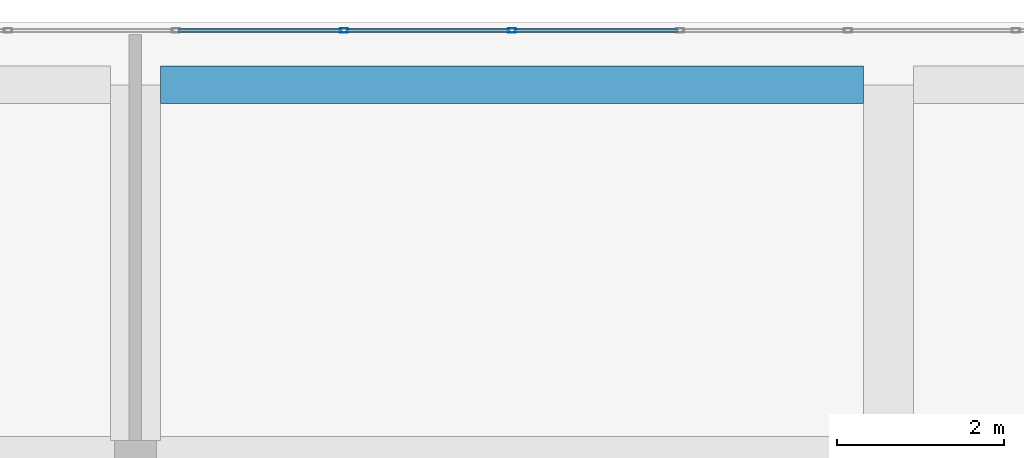
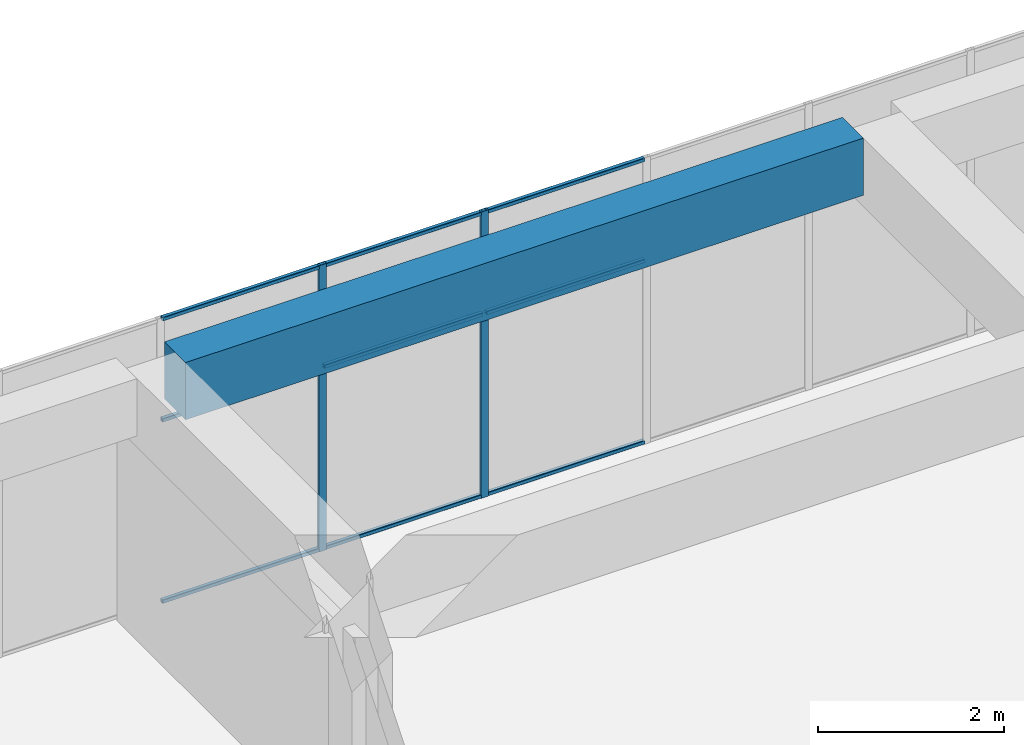
# One storey, part 23 of 34: 11 members, 1 beam, 1 element without a shape of its own.
"""IFC4 building model written with IfcOpenShell, lengths in metres."""

from ifc_helpers import new_model, si_unit, direction, frame, origin, origin_2d, place, context, subcontext, project, spatial, rectangle, hollow_rectangle, extrude, material, layer, layer_set, material_profile, profile_set, type_object, element, aggregate, save


model = new_model("IFC4")

# Units and contexts
model_context = context("Model", 3, precision=1e-05, world=origin(), true_north=direction((0.0, 1.0)))
body_context = subcontext(model_context, "Body", "Model", "MODEL_VIEW")
ifc_project = project(units=[si_unit("LENGTHUNIT", "METRE"), si_unit("AREAUNIT", "SQUARE_METRE"), si_unit("VOLUMEUNIT", "CUBIC_METRE"), si_unit("PLANEANGLEUNIT", "RADIAN"), si_unit("MASSUNIT", "GRAM", prefix="KILO")], contexts=[model_context])

# Site, building, storey
site_placement = place(None, origin())
site = spatial("IfcSite", under=ifc_project, at=site_placement, CompositionType="ELEMENT")
building_placement = place(site_placement, origin())
building = spatial("IfcBuilding", under=site, at=building_placement, Name="Tuart Plaza Theatre", CompositionType="ELEMENT")
storey_placement = place(building_placement, frame((0.0, 0.0, 57.5)))
storey = spatial("IfcBuildingStorey", under=building, at=storey_placement, Name="L14", CompositionType="ELEMENT", Elevation=57.5)

# Beam
ifc_material_1 = material(Name="Concrete N40 (40 MPa)", Category="concrete")
ifc_material_profile_1 = material_profile(ifc_material_1, rectangle(XDim=0.449951171875, YDim=0.75, at=origin_2d()), Name="BEAM 450x750 Concrete N40 (40 MPa)")
ifc_profile_set_1 = profile_set([ifc_material_profile_1], Name="Concrete N40 (40 MPa)")
beam_type = type_object("IfcBeamType", Name="BEAM 450x750 Concrete N40 (40 MPa)", PredefinedType="BEAM", material=ifc_profile_set_1)
beam_placement = place(storey_placement, frame((123.300048828125, 96.5, 3.375), z_axis=(1.0, 0.0, 0.0), x_axis=(0.0, 1.0, 0.0)))
element("IfcBeam", 1, at=beam_placement, inside=storey, type_object=beam_type, Name="RB332", PredefinedType="BEAM", context=body_context, shape_type="SweptSolid", body=[
    extrude(rectangle(XDim=0.449951171875, YDim=0.75, at=origin_2d()), origin(), (0.0, 0.0, 1.0), 8.39990234375),
])

# Curtain wall, members
ifc_material_2 = material(Name="Aluminium and glass", Category="aluminium")
ifc_layer = layer(ifc_material_2, 0.10009765625)
ifc_layer_set = layer_set([ifc_layer], Name="CURTAIN WALL 2000 module")
curtain_wall_type = type_object("IfcCurtainWallType", Name="CURTAIN WALL 2000 module", PredefinedType="NOTDEFINED", material=ifc_layer_set)
curtain_wall_placement = place(storey_placement, origin())
curtain_wall = element("IfcCurtainWall", 2, at=curtain_wall_placement, inside=storey, type_object=curtain_wall_type, Name="CW117", PredefinedType="NOTDEFINED")
ifc_material_3 = material(Name="Aluminium 6063-T5", Category="aluminium")
ifc_material_profile_2 = material_profile(ifc_material_3, hollow_rectangle(XDim=0.050048828125, YDim=0.10009765625, WallThickness=0.00390625, InnerFilletRadius=0.00390625, OuterFilletRadius=0.008056640625, at=origin_2d()), Name="RHS 100x50x4")
ifc_profile_set_2 = profile_set([ifc_material_profile_2], Name="Aluminium 6063-T5")
member_type_1 = type_object("IfcMemberType", Name="MULLION RHS 100x50x4", PredefinedType="MULLION", material=ifc_profile_set_2)
member_1_placement = place(storey_placement, frame((127.5, 97.14990234375, 0.0), z_axis=(0.0, 0.0, 1.0), x_axis=(0.0, -1.0, 0.0)))
member_1 = element("IfcMember", 3, at=member_1_placement, type_object=member_type_1, Name="CW117 mullion 8", PredefinedType="MULLION", context=body_context, shape_type="SweptSolid", body=[
    extrude(hollow_rectangle(XDim=0.050048828125, YDim=0.10009765625, WallThickness=0.00390625, InnerFilletRadius=0.00390625, OuterFilletRadius=0.008056640625, at=origin_2d()), origin(), (0.0, 0.0, 1.0), 3.75),
])
member_2_placement = place(storey_placement, frame((125.492919921875, 97.14990234375, 0.0), z_axis=(0.0, 0.0, 1.0), x_axis=(0.0, -1.0, 0.0)))
member_2 = element("IfcMember", 4, at=member_2_placement, type_object=member_type_1, Name="CW117 mullion 9", PredefinedType="MULLION", context=body_context, shape_type="SweptSolid", body=[
    extrude(hollow_rectangle(XDim=0.050048828125, YDim=0.10009765625, WallThickness=0.00390625, InnerFilletRadius=0.00390625, OuterFilletRadius=0.008056640625, at=origin_2d()), origin(), (0.0, 0.0, 1.0), 3.75),
])
ifc_material_4 = material(Name="Aluminium 6063-T5", Category="aluminium")
ifc_material_profile_3 = material_profile(ifc_material_4, hollow_rectangle(XDim=0.050048828125, YDim=0.050048828125, WallThickness=0.00390625, InnerFilletRadius=0.00390625, OuterFilletRadius=0.008056640625, at=origin_2d()), Name="RHS 50x50x4")
ifc_profile_set_3 = profile_set([ifc_material_profile_3], Name="Aluminium 6063-T5")
member_type_2 = type_object("IfcMemberType", Name="TRANSOM RHS 50x50x4", PredefinedType="USERDEFINED", material=ifc_profile_set_3)
member_3_placement = place(storey_placement, frame((129.482177734375, 97.14990234375, 0.02490234375), z_axis=(-1.0, 0.0, 0.0), x_axis=(0.0, -1.0, 0.0)))
member_3 = element("IfcMember", 5, at=member_3_placement, type_object=member_type_2, Name="CW117 transom 7.1", ObjectType="TRANSOM", PredefinedType="USERDEFINED", context=body_context, shape_type="SweptSolid", body=[
    extrude(hollow_rectangle(XDim=0.050048828125, YDim=0.050048828125, WallThickness=0.00390625, InnerFilletRadius=0.00390625, OuterFilletRadius=0.008056640625, at=origin_2d()), origin(), (0.0, 0.0, 1.0), 1.957275390625),
])
member_4_placement = place(storey_placement, frame((129.482177734375, 97.14990234375, 2.39990234375), z_axis=(-1.0, 0.0, 0.0), x_axis=(0.0, -1.0, 0.0)))
member_4 = element("IfcMember", 6, at=member_4_placement, type_object=member_type_2, Name="CW117 transom 7.2", ObjectType="TRANSOM", PredefinedType="USERDEFINED", context=body_context, shape_type="SweptSolid", body=[
    extrude(hollow_rectangle(XDim=0.050048828125, YDim=0.050048828125, WallThickness=0.00390625, InnerFilletRadius=0.00390625, OuterFilletRadius=0.008056640625, at=origin_2d()), origin(), (0.0, 0.0, 1.0), 1.957275390625),
])
member_5_placement = place(storey_placement, frame((129.482177734375, 97.14990234375, 3.72509765625), z_axis=(-1.0, 0.0, 0.0), x_axis=(0.0, -1.0, 0.0)))
member_5 = element("IfcMember", 7, at=member_5_placement, type_object=member_type_2, Name="CW117 transom 7.3", ObjectType="TRANSOM", PredefinedType="USERDEFINED", context=body_context, shape_type="SweptSolid", body=[
    extrude(hollow_rectangle(XDim=0.050048828125, YDim=0.050048828125, WallThickness=0.00390625, InnerFilletRadius=0.00390625, OuterFilletRadius=0.008056640625, at=origin_2d()), origin(), (0.0, 0.0, 1.0), 1.957275390625),
])
member_6_placement = place(storey_placement, frame((127.47509765625, 97.14990234375, 0.02490234375), z_axis=(-1.0, 0.0, 0.0), x_axis=(0.0, -1.0, 0.0)))
member_6 = element("IfcMember", 8, at=member_6_placement, type_object=member_type_2, Name="CW117 transom 8.1", ObjectType="TRANSOM", PredefinedType="USERDEFINED", context=body_context, shape_type="SweptSolid", body=[
    extrude(hollow_rectangle(XDim=0.050048828125, YDim=0.050048828125, WallThickness=0.00390625, InnerFilletRadius=0.00390625, OuterFilletRadius=0.008056640625, at=origin_2d()), origin(), (0.0, 0.0, 1.0), 1.957275390625),
])
member_7_placement = place(storey_placement, frame((127.47509765625, 97.14990234375, 2.39990234375), z_axis=(-1.0, 0.0, 0.0), x_axis=(0.0, -1.0, 0.0)))
member_7 = element("IfcMember", 9, at=member_7_placement, type_object=member_type_2, Name="CW117 transom 8.2", ObjectType="TRANSOM", PredefinedType="USERDEFINED", context=body_context, shape_type="SweptSolid", body=[
    extrude(hollow_rectangle(XDim=0.050048828125, YDim=0.050048828125, WallThickness=0.00390625, InnerFilletRadius=0.00390625, OuterFilletRadius=0.008056640625, at=origin_2d()), origin(), (0.0, 0.0, 1.0), 1.957275390625),
])
member_8_placement = place(storey_placement, frame((127.47509765625, 97.14990234375, 3.72509765625), z_axis=(-1.0, 0.0, 0.0), x_axis=(0.0, -1.0, 0.0)))
member_8 = element("IfcMember", 10, at=member_8_placement, type_object=member_type_2, Name="CW117 transom 8.3", ObjectType="TRANSOM", PredefinedType="USERDEFINED", context=body_context, shape_type="SweptSolid", body=[
    extrude(hollow_rectangle(XDim=0.050048828125, YDim=0.050048828125, WallThickness=0.00390625, InnerFilletRadius=0.00390625, OuterFilletRadius=0.008056640625, at=origin_2d()), origin(), (0.0, 0.0, 1.0), 1.957275390625),
])
member_9_placement = place(storey_placement, frame((125.4677734375, 97.14990234375, 0.02490234375), z_axis=(-1.0, 0.0, 0.0), x_axis=(0.0, -1.0, 0.0)))
member_9 = element("IfcMember", 11, at=member_9_placement, type_object=member_type_2, Name="CW117 transom 9.1", ObjectType="TRANSOM", PredefinedType="USERDEFINED", context=body_context, shape_type="SweptSolid", body=[
    extrude(hollow_rectangle(XDim=0.050048828125, YDim=0.050048828125, WallThickness=0.00390625, InnerFilletRadius=0.00390625, OuterFilletRadius=0.008056640625, at=origin_2d()), origin(), (0.0, 0.0, 1.0), 1.95703125),
])
member_10_placement = place(storey_placement, frame((125.4677734375, 97.14990234375, 2.39990234375), z_axis=(-1.0, 0.0, 0.0), x_axis=(0.0, -1.0, 0.0)))
member_10 = element("IfcMember", 12, at=member_10_placement, type_object=member_type_2, Name="CW117 transom 9.2", ObjectType="TRANSOM", PredefinedType="USERDEFINED", context=body_context, shape_type="SweptSolid", body=[
    extrude(hollow_rectangle(XDim=0.050048828125, YDim=0.050048828125, WallThickness=0.00390625, InnerFilletRadius=0.00390625, OuterFilletRadius=0.008056640625, at=origin_2d()), origin(), (0.0, 0.0, 1.0), 1.95703125),
])
member_11_placement = place(storey_placement, frame((125.4677734375, 97.14990234375, 3.72509765625), z_axis=(-1.0, 0.0, 0.0), x_axis=(0.0, -1.0, 0.0)))
member_11 = element("IfcMember", 13, at=member_11_placement, type_object=member_type_2, Name="CW117 transom 9.3", ObjectType="TRANSOM", PredefinedType="USERDEFINED", context=body_context, shape_type="SweptSolid", body=[
    extrude(hollow_rectangle(XDim=0.050048828125, YDim=0.050048828125, WallThickness=0.00390625, InnerFilletRadius=0.00390625, OuterFilletRadius=0.008056640625, at=origin_2d()), origin(), (0.0, 0.0, 1.0), 1.95703125),
])
aggregate(curtain_wall, [member_1, member_2, member_3, member_4, member_5, member_6, member_7, member_8, member_9, member_10, member_11])

save(model, "model.ifc")
